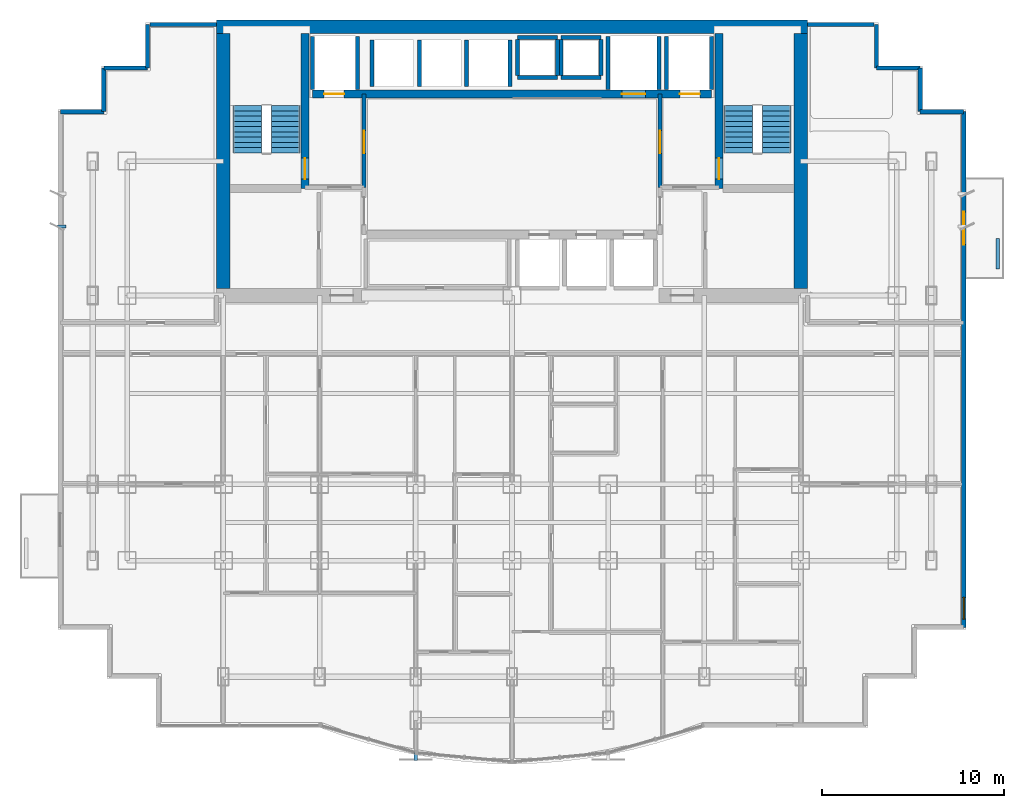
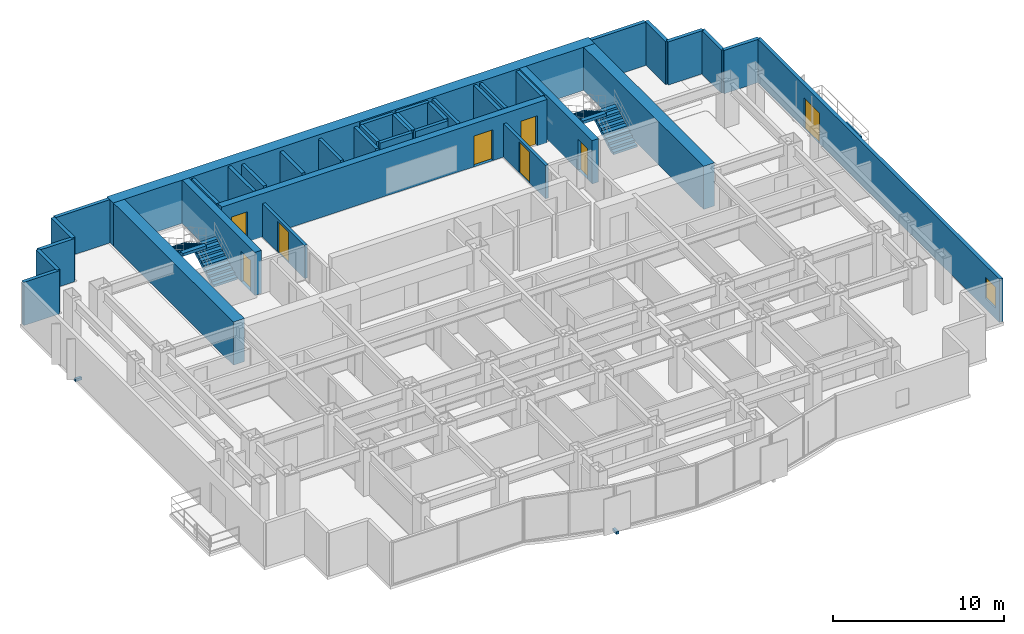
# One storey, part 7 of 10: 38 walls, 8 doors, 4 stair flights, 2 discrete accessories, 1 window, 9 openings, 2 elements without a shape of their own.
"""IFC4 building model written with IfcOpenShell, lengths in metres."""

from ifc_helpers import new_model, si_unit, direction, frame, frame_2d, origin, origin_2d, place, context, subcontext, project, spatial, polyline, rectangle, outline, extrude, source, transform, mapped, material, layer, layer_set, type_object, element, fill, aggregate, save


model = new_model("IFC4")

# Units and contexts
model_context = context("Model", 3, precision=1e-05, world=origin(), true_north=direction((0.0, 1.0)))
body_context = subcontext(model_context, "Body", "Model", "MODEL_VIEW")
ifc_project = project(units=[si_unit("LENGTHUNIT", "METRE"), si_unit("AREAUNIT", "SQUARE_METRE"), si_unit("VOLUMEUNIT", "CUBIC_METRE"), si_unit("PLANEANGLEUNIT", "RADIAN"), si_unit("MASSUNIT", "GRAM", prefix="KILO")], contexts=[model_context])

# Site, building, storey
site_placement = place(None, origin())
site = spatial("IfcSite", under=ifc_project, at=site_placement, CompositionType="ELEMENT")
building_placement = place(site_placement, origin())
building = spatial("IfcBuilding", under=site, at=building_placement, Name="Qianlan Lanfeng Residences", CompositionType="ELEMENT")
storey_placement = place(building_placement, frame((0.0, 0.0, 98.199951171875)))
storey = spatial("IfcBuildingStorey", under=building, at=storey_placement, Name="L26", CompositionType="ELEMENT", Elevation=98.199951171875)

# Wall, opening, door
ifc_material_1 = material(Name="Concrete C60", Category="concrete")
ifc_layer_1 = layer(ifc_material_1, 0.449951171875)
ifc_layer_set_1 = layer_set([ifc_layer_1], Name="Concrete C60")
wall_type_1 = type_object("IfcWallType", Name="CW-RC-450", PredefinedType="SHEAR", material=ifc_layer_set_1)
wall_1_placement = place(storey_placement, frame((15.10009765625, 31.10009765625, 0.0), z_axis=(0.0, 0.0, 1.0), x_axis=(0.0, 1.0, 0.0)))
wall_1 = element("IfcWall", 1, at=wall_1_placement, inside=storey, type_object=wall_type_1, Name="L26 Core Shear Wall ST1E", PredefinedType="SHEAR", context=body_context, shape_type="SweptSolid", body=[
    extrude(rectangle(XDim=8.52490234375, YDim=0.449951171875, at=frame_2d((4.262451171875, 0.0))), origin(), (0.0, 0.0, 1.0), 3.090087890625),
])
opening_1_placement = place(wall_1_placement, frame((0.510009765625, 0.0, 0.0)))
opening_1 = element("IfcOpeningElement", 2, at=opening_1_placement, cuts=wall_1, Name="Opening L26-D07", PredefinedType="OPENING", context=body_context, shape_type="SweptSolid", body=[
    extrude(rectangle(XDim=1.14990234375, YDim=2.199951171875, at=frame_2d((0.574951171875, 1.10009765625))), frame((0.0, 0.23486328125, 0.0), z_axis=(0.0, -1.0, 0.0), x_axis=(1.0, 0.0, 0.0)), (0.0, 0.0, 1.0), 0.469970703125),
])
ifc_material_2 = material(Name="Painted Galvanised Steel Fire Door", Category="steel")
door_type_1 = type_object("IfcDoorType", Name="DT-ST1", OperationType="NOTDEFINED", PredefinedType="DOOR", material=ifc_material_2)
door_1_placement = place(opening_1_placement, frame((1.14990234375, 0.0, 0.0), z_axis=(0.0, 0.0, 1.0), x_axis=(-1.0, 0.0, 0.0)))
door_1 = element("IfcDoor", 3, at=door_1_placement, inside=storey, type_object=door_type_1, Name="L26 Exit Stair ST-1 Door L26-D07 (DT-ST1)", OperationType="SINGLE_SWING_RIGHT", OverallHeight=2.199951171875, OverallWidth=1.14990234375, PredefinedType="DOOR", context=body_context, shape_type="SweptSolid", body=[
    extrude(rectangle(XDim=1.14990234375, YDim=2.199951171875, at=frame_2d((0.574951171875, 1.10009765625))), frame((0.0, 0.02490234375, 0.0), z_axis=(0.0, -1.0, 0.0), x_axis=(1.0, 0.0, 0.0)), (0.0, 0.0, 1.0), 0.050048828125),
])
fill(opening_1, door_1)

wall_2_placement = place(storey_placement, frame((37.89990234375, 31.10009765625, 0.0), z_axis=(0.0, 0.0, 1.0), x_axis=(0.0, 1.0, 0.0)))
wall_2 = element("IfcWall", 4, at=wall_2_placement, inside=storey, type_object=wall_type_1, Name="L26 Core Shear Wall ST2W", PredefinedType="SHEAR", context=body_context, shape_type="SweptSolid", body=[
    extrude(rectangle(XDim=8.52490234375, YDim=0.449951171875, at=frame_2d((4.262451171875, 0.0))), origin(), (0.0, 0.0, 1.0), 3.090087890625),
])
opening_2_placement = place(wall_2_placement, frame((0.510009765625, 0.0, 0.0)))
opening_2 = element("IfcOpeningElement", 5, at=opening_2_placement, cuts=wall_2, Name="Opening L26-D08", PredefinedType="OPENING", context=body_context, shape_type="SweptSolid", body=[
    extrude(rectangle(XDim=1.14990234375, YDim=2.199951171875, at=frame_2d((0.574951171875, 1.10009765625))), frame((0.0, 0.23486328125, 0.0), z_axis=(0.0, -1.0, 0.0), x_axis=(1.0, 0.0, 0.0)), (0.0, 0.0, 1.0), 0.469970703125),
])
door_2_placement = place(opening_2_placement, origin())
door_2 = element("IfcDoor", 6, at=door_2_placement, inside=storey, type_object=door_type_1, Name="L26 Exit Stair ST-2 Door L26-D08 (DT-ST1)", OperationType="SINGLE_SWING_RIGHT", OverallHeight=2.199951171875, OverallWidth=1.14990234375, PredefinedType="DOOR", context=body_context, shape_type="SweptSolid", body=[
    extrude(rectangle(XDim=1.14990234375, YDim=2.199951171875, at=frame_2d((0.574951171875, 1.10009765625))), frame((0.0, 0.02490234375, 0.0), z_axis=(0.0, -1.0, 0.0), x_axis=(1.0, 0.0, 0.0)), (0.0, 0.0, 1.0), 0.050048828125),
])
fill(opening_2, door_2)

# Wall, openings, doors
wall_3_placement = place(storey_placement, frame((15.5, 36.300048828125, 0.0), z_axis=(0.0, 0.0, 1.0), x_axis=(1.0, 0.0, 0.0)))
wall_3 = element("IfcWall", 7, at=wall_3_placement, inside=storey, type_object=wall_type_1, Name="L26 Core Shear Wall LBN", PredefinedType="SHEAR", context=body_context, shape_type="SweptSolid", body=[
    extrude(rectangle(XDim=22.0, YDim=0.449951171875, at=frame_2d((11.0, 0.0))), origin(), (0.0, 0.0, 1.0), 3.090087890625),
])
opening_3_placement = place(wall_3_placement, frame((0.64990234375, 0.0, 0.0)))
opening_3 = element("IfcOpeningElement", 8, at=opening_3_placement, cuts=wall_3, Name="Opening L26-LD-FFL-1", PredefinedType="OPENING", context=body_context, shape_type="SweptSolid", body=[
    extrude(rectangle(XDim=1.10009765625, YDim=2.14990234375, at=frame_2d((0.550048828125, 1.074951171875))), frame((0.0, 0.23486328125, 0.0), z_axis=(0.0, -1.0, 0.0), x_axis=(1.0, 0.0, 0.0)), (0.0, 0.0, 1.0), 0.469970703125),
])
opening_4_placement = place(wall_3_placement, frame((20.25, 0.0, 0.0)))
opening_4 = element("IfcOpeningElement", 9, at=opening_4_placement, cuts=wall_3, Name="Opening L26-LD-FFL-2", PredefinedType="OPENING", context=body_context, shape_type="SweptSolid", body=[
    extrude(rectangle(XDim=1.10009765625, YDim=2.14990234375, at=frame_2d((0.550048828125, 1.074951171875))), frame((0.0, 0.23486328125, 0.0), z_axis=(0.0, -1.0, 0.0), x_axis=(1.0, 0.0, 0.0)), (0.0, 0.0, 1.0), 0.469970703125),
])
opening_5_placement = place(wall_3_placement, frame((17.050048828125, 0.0, 0.0)))
opening_5 = element("IfcOpeningElement", 10, at=opening_5_placement, cuts=wall_3, Name="Opening L26-LD-SVL-1", PredefinedType="OPENING", context=body_context, shape_type="SweptSolid", body=[
    extrude(rectangle(XDim=1.300048828125, YDim=2.199951171875, at=frame_2d((0.64990234375, 1.10009765625))), frame((0.0, 0.23486328125, 0.0), z_axis=(0.0, -1.0, 0.0), x_axis=(1.0, 0.0, 0.0)), (0.0, 0.0, 1.0), 0.469970703125),
])
ifc_material_3 = material(Name="Brushed Stainless Steel Sliding Lift Door", Category="steel")
door_type_2 = type_object("IfcDoorType", Name="LD-01", OperationType="NOTDEFINED", PredefinedType="DOOR", material=ifc_material_3)
door_3_placement = place(opening_3_placement, frame((1.10009765625, 0.0, 0.0), z_axis=(0.0, 0.0, 1.0), x_axis=(-1.0, 0.0, 0.0)))
door_3 = element("IfcDoor", 11, at=door_3_placement, inside=storey, type_object=door_type_2, Name="L26 Elevator FFL-1 Sliding Landing Door", OperationType="DOUBLE_DOOR_SLIDING", OverallHeight=2.14990234375, OverallWidth=1.10009765625, PredefinedType="DOOR", context=body_context, shape_type="SweptSolid", body=[
    extrude(rectangle(XDim=1.10009765625, YDim=2.14990234375, at=frame_2d((0.550048828125, 1.074951171875))), frame((0.0, 0.02490234375, 0.0), z_axis=(0.0, -1.0, 0.0), x_axis=(1.0, 0.0, 0.0)), (0.0, 0.0, 1.0), 0.050048828125),
])
fill(opening_3, door_3)
door_4_placement = place(opening_4_placement, frame((1.10009765625, 0.0, 0.0), z_axis=(0.0, 0.0, 1.0), x_axis=(-1.0, 0.0, 0.0)))
door_4 = element("IfcDoor", 12, at=door_4_placement, inside=storey, type_object=door_type_2, Name="L26 Elevator FFL-2 Sliding Landing Door", OperationType="DOUBLE_DOOR_SLIDING", OverallHeight=2.14990234375, OverallWidth=1.10009765625, PredefinedType="DOOR", context=body_context, shape_type="SweptSolid", body=[
    extrude(rectangle(XDim=1.10009765625, YDim=2.14990234375, at=frame_2d((0.550048828125, 1.074951171875))), frame((0.0, 0.02490234375, 0.0), z_axis=(0.0, -1.0, 0.0), x_axis=(1.0, 0.0, 0.0)), (0.0, 0.0, 1.0), 0.050048828125),
])
fill(opening_4, door_4)
door_type_3 = type_object("IfcDoorType", Name="LD-02", OperationType="NOTDEFINED", PredefinedType="DOOR", material=ifc_material_3)
door_5_placement = place(opening_5_placement, frame((1.300048828125, 0.0, 0.0), z_axis=(0.0, 0.0, 1.0), x_axis=(-1.0, 0.0, 0.0)))
door_5 = element("IfcDoor", 13, at=door_5_placement, inside=storey, type_object=door_type_3, Name="L26 Elevator SVL-1 Sliding Landing Door", OperationType="DOUBLE_DOOR_SLIDING", OverallHeight=2.199951171875, OverallWidth=1.300048828125, PredefinedType="DOOR", context=body_context, shape_type="SweptSolid", body=[
    extrude(rectangle(XDim=1.300048828125, YDim=2.199951171875, at=frame_2d((0.64990234375, 1.10009765625))), frame((0.0, 0.02490234375, 0.0), z_axis=(0.0, -1.0, 0.0), x_axis=(1.0, 0.0, 0.0)), (0.0, 0.0, 1.0), 0.050048828125),
])
fill(opening_5, door_5)

# Walls
ifc_layer_2 = layer(ifc_material_1, 0.75)
ifc_layer_set_2 = layer_set([ifc_layer_2], Name="Concrete C60")
wall_type_2 = type_object("IfcWallType", Name="CW-RC-750", PredefinedType="SHEAR", material=ifc_layer_set_2)
wall_4_placement = place(storey_placement, frame((10.22509765625, 40.0, 0.0), z_axis=(0.0, 0.0, 1.0), x_axis=(1.0, 0.0, 0.0)))
element("IfcWall", 14, at=wall_4_placement, inside=storey, type_object=wall_type_2, Name="L26 Core Shear Wall N", PredefinedType="SHEAR", context=body_context, shape_type="SweptSolid", body=[
    extrude(rectangle(XDim=32.5498046875, YDim=0.75, at=frame_2d((16.27490234375, 0.0))), origin(), (0.0, 0.0, 1.0), 3.090087890625),
])
for number, where, z_axis, x_axis, name in (
    (15, (10.60009765625, 25.574951171875, 0.0), (0.0, 0.0, 1.0), (0.0, 1.0, 0.0), "L26 Core Shear Wall W"),
    (16, (42.39990234375, 25.574951171875, 0.0), (0.0, 0.0, 1.0), (0.0, 1.0, 0.0), "L26 Core Shear Wall E"),
):
    element("IfcWall", number, at=place(storey_placement, frame(where, z_axis=z_axis, x_axis=x_axis)), inside=storey, type_object=wall_type_2, Name=name, PredefinedType="SHEAR", context=body_context, shape_type="SweptSolid", body=[
        extrude(rectangle(XDim=14.050048828125, YDim=0.75, at=frame_2d((7.02490234375, 0.0))), origin(), (0.0, 0.0, 1.0), 3.090087890625),
    ])

# Wall, openings, door, window
ifc_material_4 = material(Name="Concrete C42", Category="concrete")
ifc_layer_3 = layer(ifc_material_4, 0.239990234375)
ifc_layer_set_3 = layer_set([ifc_layer_3], Name="Concrete C42")
wall_type_3 = type_object("IfcWallType", Name="EW-240", PredefinedType="SOLIDWALL", material=ifc_layer_set_3)
wall_5_placement = place(storey_placement, frame((51.3798828125, 6.919921875, 0.0), z_axis=(0.0, 0.0, 1.0), x_axis=(0.0, 1.0, 0.0)))
wall_5 = element("IfcWall", 17, at=wall_5_placement, inside=storey, type_object=wall_type_3, Name="L26 Terrace/Balcony Access Exterior Wall 10", PredefinedType="SOLIDWALL", context=body_context, shape_type="SweptSolid", body=[
    extrude(rectangle(XDim=28.41015625, YDim=0.239990234375, at=frame_2d((14.205078125, 0.0))), origin(), (0.0, 0.0, 1.0), 3.090087890625),
])
opening_6_placement = place(wall_5_placement, frame((21.080078125, 0.0, 0.0)))
opening_6 = element("IfcOpeningElement", 18, at=opening_6_placement, cuts=wall_5, Name="Opening L26-D-EB-N", PredefinedType="OPENING", context=body_context, shape_type="SweptSolid", body=[
    extrude(rectangle(XDim=1.800048828125, YDim=2.199951171875, at=frame_2d((0.89990234375, 1.10009765625))), frame((0.0, 0.1298828125, 0.0), z_axis=(0.0, -1.0, 0.0), x_axis=(1.0, 0.0, 0.0)), (0.0, 0.0, 1.0), 0.260009765625),
])
opening_7_placement = place(wall_5_placement, frame((0.449951171875, 0.0, 0.75)))
opening_7 = element("IfcOpeningElement", 19, at=opening_7_placement, cuts=wall_5, Name="Opening W-03", PredefinedType="OPENING", context=body_context, shape_type="SweptSolid", body=[
    extrude(rectangle(XDim=1.199951171875, YDim=1.5, at=frame_2d((0.60009765625, 0.75))), frame((0.0, 0.1298828125, 0.0), z_axis=(0.0, -1.0, 0.0), x_axis=(1.0, 0.0, 0.0)), (0.0, 0.0, 1.0), 0.260009765625),
])
ifc_material_5 = material(Name="Anodised Bronze Aluminium Framed Glass", Category="aluminium")
door_type_4 = type_object("IfcDoorType", Name="DT-BAL1", OperationType="NOTDEFINED", PredefinedType="DOOR", material=ifc_material_5)
door_6_placement = place(opening_6_placement, frame((1.800048828125, 0.0, 0.0), z_axis=(0.0, 0.0, 1.0), x_axis=(-1.0, 0.0, 0.0)))
door_6 = element("IfcDoor", 20, at=door_6_placement, inside=storey, type_object=door_type_4, Name="L26 Exterior Access Door EB-N", OperationType="DOUBLE_DOOR_SLIDING", OverallHeight=2.199951171875, OverallWidth=1.800048828125, PredefinedType="DOOR", context=body_context, shape_type="SweptSolid", body=[
    extrude(rectangle(XDim=1.800048828125, YDim=2.199951171875, at=frame_2d((0.89990234375, 1.10009765625))), frame((0.0, 0.02490234375, 0.0), z_axis=(0.0, -1.0, 0.0), x_axis=(1.0, 0.0, 0.0)), (0.0, 0.0, 1.0), 0.050048828125),
])
fill(opening_6, door_6)
ifc_material_6 = material(Name="Anodised Bronze Aluminium Framed Double Glazing", Category="aluminium")
window_type = type_object("IfcWindowType", Name="W-03", PartitioningType="SINGLE_PANEL", PredefinedType="WINDOW", material=ifc_material_6)
window_placement = place(opening_7_placement, origin())
window = element("IfcWindow", 21, at=window_placement, inside=storey, type_object=window_type, Name="L26 Exterior Window W-03", OverallHeight=1.5, OverallWidth=1.199951171875, PartitioningType="SINGLE_PANEL", PredefinedType="WINDOW", context=body_context, shape_type="SweptSolid", body=[
    extrude(rectangle(XDim=1.199951171875, YDim=1.5, at=frame_2d((0.60009765625, 0.75))), frame((0.0, 0.030029296875, 0.0), z_axis=(0.0, -1.0, 0.0), x_axis=(1.0, 0.0, 0.0)), (0.0, 0.0, 1.0), 0.06005859375),
])
fill(opening_7, window)

# Walls
for number, where, z_axis, x_axis, name in (
    (22, (51.3798828125, 35.330078125, 0.0), (0.0, 0.0, 1.0), (-1.0, 0.0, 0.0), "L26 Exterior Facade Spandrel Wall 11"),
    (23, (48.97998046875, 35.330078125, 0.0), (0.0, 0.0, 1.0), (0.0, 1.0, 0.0), "L26 Exterior Facade Spandrel Wall 12"),
    (24, (48.97998046875, 37.72998046875, 0.0), (0.0, 0.0, 1.0), (-1.0, 0.0, 0.0), "L26 Exterior Facade Spandrel Wall 13"),
    (25, (46.580078125, 37.72998046875, 0.0), (0.0, 0.0, 1.0), (0.0, 1.0, 0.0), "L26 Exterior Facade Spandrel Wall 14"),
):
    element("IfcWall", number, at=place(storey_placement, frame(where, z_axis=z_axis, x_axis=x_axis)), inside=storey, type_object=wall_type_3, Name=name, PredefinedType="SOLIDWALL", context=body_context, shape_type="SweptSolid", body=[
        extrude(rectangle(XDim=2.39990234375, YDim=0.239990234375, at=frame_2d((1.199951171875, 0.0))), origin(), (0.0, 0.0, 1.0), 3.090087890625),
    ])
for number, where, z_axis, x_axis, name in (
    (26, (46.449951171875, 40.1298828125, 0.0), (0.0, 0.0, 1.0), (-1.0, 0.0, 0.0), "L26 North Wing Exterior Wall E"),
    (27, (10.22509765625, 40.1298828125, 0.0), (0.0, 0.0, 1.0), (-1.0, 0.0, 0.0), "L26 North Wing Exterior Wall W"),
):
    element("IfcWall", number, at=place(storey_placement, frame(where, z_axis=z_axis, x_axis=x_axis)), inside=storey, type_object=wall_type_3, Name=name, PredefinedType="SOLIDWALL", context=body_context, shape_type="SweptSolid", body=[
        extrude(rectangle(XDim=3.675048828125, YDim=0.239990234375, at=frame_2d((1.83740234375, 0.0))), origin(), (0.0, 0.0, 1.0), 3.090087890625),
    ])
for number, where, z_axis, x_axis, name in (
    (28, (6.419921875, 40.1298828125, 0.0), (0.0, 0.0, 1.0), (0.0, -1.0, 0.0), "L26 Exterior Facade Spandrel Wall 17"),
    (29, (6.419921875, 37.72998046875, 0.0), (0.0, 0.0, 1.0), (-1.0, 0.0, 0.0), "L26 Exterior Facade Spandrel Wall 18"),
    (30, (4.02001953125, 37.72998046875, 0.0), (0.0, 0.0, 1.0), (0.0, -1.0, 0.0), "L26 Exterior Facade Spandrel Wall 19"),
    (31, (4.02001953125, 35.330078125, 0.0), (0.0, 0.0, 1.0), (-1.0, 0.0, 0.0), "L26 Exterior Facade Spandrel Wall 20"),
):
    element("IfcWall", number, at=place(storey_placement, frame(where, z_axis=z_axis, x_axis=x_axis)), inside=storey, type_object=wall_type_3, Name=name, PredefinedType="SOLIDWALL", context=body_context, shape_type="SweptSolid", body=[
        extrude(rectangle(XDim=2.39990234375, YDim=0.239990234375, at=frame_2d((1.199951171875, 0.0))), origin(), (0.0, 0.0, 1.0), 3.090087890625),
    ])
ifc_layer_4 = layer(ifc_material_4, 0.199951171875)
ifc_layer_set_4 = layer_set([ifc_layer_4], Name="Concrete C42")
wall_type_4 = type_object("IfcWallType", Name="PL-TREE-200", PredefinedType="PARAPET", material=ifc_layer_set_4)
wall_6_placement = place(storey_placement, frame((53.25, 26.64990234375, 0.0), z_axis=(0.0, 0.0, 1.0), x_axis=(0.0, 1.0, 0.0)))
element("IfcWall", 32, at=wall_6_placement, inside=storey, type_object=wall_type_4, Name="L26 East Tree Planter Curb EB-N", PredefinedType="PARAPET", context=body_context, shape_type="SweptSolid", body=[
    extrude(rectangle(XDim=1.7001953125, YDim=0.199951171875, at=frame_2d((0.85009765625, 0.0))), origin(), (0.0, 0.0, 1.0), 0.650146484375),
])

# Wall, opening, door
ifc_material_7 = material(Name="Autoclaved Aerated Concrete Blockwork 200 mm", Category="masonry")
ifc_layer_5 = layer(ifc_material_7, 0.199951171875)
ifc_layer_set_5 = layer_set([ifc_layer_5], Name="Autoclaved Aerated Concrete Blockwork 200 mm")
wall_type_5 = type_object("IfcWallType", Name="PW-200", PredefinedType="PARTITIONING", material=ifc_layer_set_5)
wall_7_placement = place(storey_placement, frame((18.35009765625, 31.14990234375, 0.0), z_axis=(0.0, 0.0, 1.0), x_axis=(0.0, 1.0, 0.0)))
wall_7 = element("IfcWall", 33, at=wall_7_placement, inside=storey, type_object=wall_type_5, Name="L26 Firefighting Lobby 1 East Wall", PredefinedType="PARTITIONING", context=body_context, shape_type="SweptSolid", body=[
    extrude(rectangle(XDim=5.150146484375, YDim=0.199951171875, at=frame_2d((2.5751953125, 0.0))), origin(), (0.0, 0.0, 1.0), 2.380126953125),
])
opening_8_placement = place(wall_7_placement, frame((1.875, 0.0, 0.0)))
opening_8 = element("IfcOpeningElement", 34, at=opening_8_placement, cuts=wall_7, Name="Opening L26-D04", PredefinedType="OPENING", context=body_context, shape_type="SweptSolid", body=[
    extrude(rectangle(XDim=1.25, YDim=2.199951171875, at=frame_2d((0.625, 1.10009765625))), frame((0.0, 0.10986328125, 0.0), z_axis=(0.0, -1.0, 0.0), x_axis=(1.0, 0.0, 0.0)), (0.0, 0.0, 1.0), 0.219970703125),
])
door_type_5 = type_object("IfcDoorType", Name="DT-FFL", OperationType="NOTDEFINED", PredefinedType="DOOR", material=ifc_material_2)
door_7_placement = place(opening_8_placement, origin())
door_7 = element("IfcDoor", 35, at=door_7_placement, inside=storey, type_object=door_type_5, Name="L26 Firefighting Lobby 1 Lift Lobby Door L26-D04 (DT-FFL)", OperationType="SINGLE_SWING_LEFT", OverallHeight=2.199951171875, OverallWidth=1.25, PredefinedType="DOOR", context=body_context, shape_type="SweptSolid", body=[
    extrude(rectangle(XDim=1.25, YDim=2.199951171875, at=frame_2d((0.625, 1.10009765625))), frame((0.0, 0.02490234375, 0.0), z_axis=(0.0, -1.0, 0.0), x_axis=(1.0, 0.0, 0.0)), (0.0, 0.0, 1.0), 0.050048828125),
])
fill(opening_8, door_7)

wall_8_placement = place(storey_placement, frame((34.64990234375, 31.14990234375, 0.0), z_axis=(0.0, 0.0, 1.0), x_axis=(0.0, 1.0, 0.0)))
wall_8 = element("IfcWall", 36, at=wall_8_placement, inside=storey, type_object=wall_type_5, Name="L26 Firefighting Lobby 2 West Wall", PredefinedType="PARTITIONING", context=body_context, shape_type="SweptSolid", body=[
    extrude(rectangle(XDim=5.150146484375, YDim=0.199951171875, at=frame_2d((2.5751953125, 0.0))), origin(), (0.0, 0.0, 1.0), 2.380126953125),
])
opening_9_placement = place(wall_8_placement, frame((1.875, 0.0, 0.0)))
opening_9 = element("IfcOpeningElement", 37, at=opening_9_placement, cuts=wall_8, Name="Opening L26-D06", PredefinedType="OPENING", context=body_context, shape_type="SweptSolid", body=[
    extrude(rectangle(XDim=1.25, YDim=2.199951171875, at=frame_2d((0.625, 1.10009765625))), frame((0.0, 0.10986328125, 0.0), z_axis=(0.0, -1.0, 0.0), x_axis=(1.0, 0.0, 0.0)), (0.0, 0.0, 1.0), 0.219970703125),
])
door_8_placement = place(opening_9_placement, origin())
door_8 = element("IfcDoor", 38, at=door_8_placement, inside=storey, type_object=door_type_5, Name="L26 Firefighting Lobby 2 Lift Lobby Door L26-D06 (DT-FFL)", OperationType="SINGLE_SWING_LEFT", OverallHeight=2.199951171875, OverallWidth=1.25, PredefinedType="DOOR", context=body_context, shape_type="SweptSolid", body=[
    extrude(rectangle(XDim=1.25, YDim=2.199951171875, at=frame_2d((0.625, 1.10009765625))), frame((0.0, 0.02490234375, 0.0), z_axis=(0.0, -1.0, 0.0), x_axis=(1.0, 0.0, 0.0)), (0.0, 0.0, 1.0), 0.050048828125),
])
fill(opening_9, door_8)

# Walls
ifc_material_8 = material(Name="Concrete C49", Category="concrete")
ifc_layer_6 = layer(ifc_material_8, 0.219970703125)
ifc_layer_set_6 = layer_set([ifc_layer_6], Name="Concrete C49")
wall_type_6 = type_object("IfcWallType", Name="SHW-220", PredefinedType="SOLIDWALL", material=ifc_layer_set_6)
for number, where, z_axis, x_axis, name in (
    (39, (15.52001953125, 36.550048828125, 0.0), (0.0, 0.0, 1.0), (0.0, 1.0, 0.0), "L26 Lift FFL-1 Shaft Wall W"),
    (40, (18.0, 36.550048828125, 0.0), (0.0, 0.0, 1.0), (0.0, 1.0, 0.0), "L26 Lift FFL-1 Shaft Wall E"),
    (41, (35.0, 36.550048828125, 0.0), (0.0, 0.0, 1.0), (0.0, 1.0, 0.0), "L26 Lift FFL-2 Shaft Wall W"),
    (42, (37.47998046875, 36.550048828125, 0.0), (0.0, 0.0, 1.0), (0.0, 1.0, 0.0), "L26 Lift FFL-2 Shaft Wall E"),
    (43, (31.800048828125, 36.550048828125, 0.0), (0.0, 0.0, 1.0), (0.0, 1.0, 0.0), "L26 Lift SVL-1 Shaft Wall W"),
    (44, (34.60009765625, 36.550048828125, 0.0), (0.0, 0.0, 1.0), (0.0, 1.0, 0.0), "L26 Lift SVL-1 Shaft Wall E"),
):
    element("IfcWall", number, at=place(storey_placement, frame(where, z_axis=z_axis, x_axis=x_axis)), inside=storey, type_object=wall_type_6, Name=name, PredefinedType="SOLIDWALL", context=body_context, shape_type="SweptSolid", body=[
        extrude(rectangle(XDim=2.929931640625, YDim=0.219970703125, at=frame_2d((1.46484375, 0.0))), origin(), (0.0, 0.0, 1.0), 3.090087890625),
    ])
for number, where, z_axis, x_axis, name in (
    (45, (18.800048828125, 36.719970703125, 0.0), (0.0, 0.0, 1.0), (0.0, 1.0, 0.0), "L26 Lift PL-H1 Shaft Wall W"),
    (46, (21.39990234375, 36.719970703125, 0.0), (0.0, 0.0, 1.0), (0.0, 1.0, 0.0), "L26 Lift PL-H2 Shaft Wall W"),
    (47, (24.0, 36.719970703125, 0.0), (0.0, 0.0, 1.0), (0.0, 1.0, 0.0), "L26 Lift PL-H3 Shaft Wall W"),
    (48, (26.39990234375, 36.719970703125, 0.0), (0.0, 0.0, 1.0), (0.0, 1.0, 0.0), "L26 Lift PL-H3 Shaft Wall E"),
):
    element("IfcWall", number, at=place(storey_placement, frame(where, z_axis=z_axis, x_axis=x_axis)), inside=storey, type_object=wall_type_6, Name=name, PredefinedType="SOLIDWALL", context=body_context, shape_type="SweptSolid", body=[
        extrude(rectangle(XDim=2.56005859375, YDim=0.219970703125, at=frame_2d((1.280029296875, 0.0))), origin(), (0.0, 0.0, 1.0), 3.090087890625),
    ])
for number, where, z_axis, x_axis, name in (
    (49, (26.800048828125, 37.31005859375, 0.0), (0.0, 0.0, 1.0), (0.0, 1.0, 0.0), "L26 MEP Riser MEP-R1 Shaft Wall W"),
    (50, (29.0, 37.31005859375, 0.0), (0.0, 0.0, 1.0), (0.0, 1.0, 0.0), "L26 MEP Riser MEP-R1 Shaft Wall E"),
):
    element("IfcWall", number, at=place(storey_placement, frame(where, z_axis=z_axis, x_axis=x_axis)), inside=storey, type_object=wall_type_6, Name=name, PredefinedType="SOLIDWALL", context=body_context, shape_type="SweptSolid", body=[
        extrude(rectangle(XDim=1.97998046875, YDim=0.219970703125, at=frame_2d((0.989990234375, 0.0))), origin(), (0.0, 0.0, 1.0), 3.090087890625),
    ])
for number, where, z_axis, x_axis, name in (
    (51, (26.800048828125, 39.39990234375, 0.0), (0.0, 0.0, 1.0), (1.0, 0.0, 0.0), "L26 MEP Riser MEP-R1 Shaft Wall N"),
    (52, (26.800048828125, 37.199951171875, 0.0), (0.0, 0.0, 1.0), (1.0, 0.0, 0.0), "L26 MEP Riser MEP-R1 Shaft Wall S"),
):
    element("IfcWall", number, at=place(storey_placement, frame(where, z_axis=z_axis, x_axis=x_axis)), inside=storey, type_object=wall_type_6, Name=name, PredefinedType="SOLIDWALL", context=body_context, shape_type="SweptSolid", body=[
        extrude(rectangle(XDim=2.199951171875, YDim=0.219970703125, at=frame_2d((1.10009765625, 0.0))), origin(), (0.0, 0.0, 1.0), 3.090087890625),
    ])
for number, where, z_axis, x_axis, name in (
    (53, (29.199951171875, 37.31005859375, 0.0), (0.0, 0.0, 1.0), (0.0, 1.0, 0.0), "L26 MEP Riser MEP-R2 Shaft Wall W"),
    (54, (31.39990234375, 37.31005859375, 0.0), (0.0, 0.0, 1.0), (0.0, 1.0, 0.0), "L26 MEP Riser MEP-R2 Shaft Wall E"),
):
    element("IfcWall", number, at=place(storey_placement, frame(where, z_axis=z_axis, x_axis=x_axis)), inside=storey, type_object=wall_type_6, Name=name, PredefinedType="SOLIDWALL", context=body_context, shape_type="SweptSolid", body=[
        extrude(rectangle(XDim=1.97998046875, YDim=0.219970703125, at=frame_2d((0.989990234375, 0.0))), origin(), (0.0, 0.0, 1.0), 3.090087890625),
    ])
for number, where, z_axis, x_axis, name in (
    (55, (29.199951171875, 39.39990234375, 0.0), (0.0, 0.0, 1.0), (1.0, 0.0, 0.0), "L26 MEP Riser MEP-R2 Shaft Wall N"),
    (56, (29.199951171875, 37.199951171875, 0.0), (0.0, 0.0, 1.0), (1.0, 0.0, 0.0), "L26 MEP Riser MEP-R2 Shaft Wall S"),
):
    element("IfcWall", number, at=place(storey_placement, frame(where, z_axis=z_axis, x_axis=x_axis)), inside=storey, type_object=wall_type_6, Name=name, PredefinedType="SOLIDWALL", context=body_context, shape_type="SweptSolid", body=[
        extrude(rectangle(XDim=2.199951171875, YDim=0.219970703125, at=frame_2d((1.10009765625, 0.0))), origin(), (0.0, 0.0, 1.0), 3.090087890625),
    ])

# Stair, stair flights
stair_type = type_object("IfcStairType", Name="STR-MAIN", PredefinedType="HALF_TURN_STAIR", material=ifc_material_4)
stair_1_placement = place(storey_placement, origin())
stair_1 = element("IfcStair", 57, at=stair_1_placement, inside=storey, type_object=stair_type, Name="L26 Exit Stair ST-1", PredefinedType="HALF_TURN_STAIR")
stair_flight_type = type_object("IfcStairFlightType", Name="FLT-1720", PredefinedType="STRAIGHT", material=ifc_material_4)
stair_flight_1_placement = place(storey_placement, frame((14.02001953125, 33.050048828125, 0.0), z_axis=(0.0, 0.0, 1.0), x_axis=(0.0, 1.0, 0.0)))
stair_flight_1 = element("IfcStairFlight", 58, at=stair_flight_1_placement, type_object=stair_flight_type, Name="ST-1 flight 1", NumberOfRisers=10, NumberOfTreads=9, PredefinedType="STRAIGHT", RiserHeight=0.165, TreadLength=0.29, context=body_context, shape_type="SweptSolid", body=[
    extrude(outline(polyline([(0.0, 0.0), (0.0, 0.1650390625), (0.2900390625, 0.1650390625), (0.2900390625, 0.330078125), (0.580078125, 0.330078125), (0.580078125, 0.4951171875), (0.8701171875, 0.4951171875), (0.8701171875, 0.659912109375), (1.159912109375, 0.659912109375), (1.159912109375, 0.824951171875), (1.449951171875, 0.824951171875), (1.449951171875, 0.989990234375), (1.739990234375, 0.989990234375), (1.739990234375, 1.155029296875), (2.030029296875, 1.155029296875), (2.030029296875, 1.320068359375), (2.320068359375, 1.320068359375), (2.320068359375, 1.485107421875), (2.610107421875, 1.485107421875), (2.610107421875, 1.64990234375), (2.610107421875, 1.278076171875), (0.36376953125, 0.0), (0.0, 0.0)])), frame((0.0, 0.800048828125, 0.0), z_axis=(0.0, -1.0, 0.0), x_axis=(1.0, 0.0, 0.0)), (0.0, 0.0, 1.0), 1.60009765625),
])
stair_flight_2_placement = place(storey_placement, frame((11.93994140625, 35.659912109375, 1.650146484375), z_axis=(0.0, 0.0, 1.0), x_axis=(0.0, -1.0, 0.0)))
stair_flight_2 = element("IfcStairFlight", 59, at=stair_flight_2_placement, type_object=stair_flight_type, Name="ST-1 flight 2", NumberOfRisers=10, NumberOfTreads=9, PredefinedType="STRAIGHT", RiserHeight=0.165, TreadLength=0.29, context=body_context, shape_type="SweptSolid", body=[
    extrude(outline(polyline([(0.0, 0.0), (0.0, 0.1650390625), (0.2900390625, 0.1650390625), (0.2900390625, 0.330078125), (0.580078125, 0.330078125), (0.580078125, 0.4951171875), (0.8701171875, 0.4951171875), (0.8701171875, 0.659912109375), (1.159912109375, 0.659912109375), (1.159912109375, 0.824951171875), (1.449951171875, 0.824951171875), (1.449951171875, 0.989990234375), (1.739990234375, 0.989990234375), (1.739990234375, 1.155029296875), (2.030029296875, 1.155029296875), (2.030029296875, 1.320068359375), (2.320068359375, 1.320068359375), (2.320068359375, 1.485107421875), (2.610107421875, 1.485107421875), (2.610107421875, 1.64990234375), (2.610107421875, 1.278076171875), (0.36376953125, 0.0), (0.0, 0.0)])), frame((0.0, 0.800048828125, 0.0), z_axis=(0.0, -1.0, 0.0), x_axis=(1.0, 0.0, 0.0)), (0.0, 0.0, 1.0), 1.60009765625),
])
aggregate(stair_1, [stair_flight_1, stair_flight_2])

stair_2_placement = place(storey_placement, origin())
stair_2 = element("IfcStair", 60, at=stair_2_placement, inside=storey, type_object=stair_type, Name="L26 Exit Stair ST-2", PredefinedType="HALF_TURN_STAIR")
stair_flight_3_placement = place(storey_placement, frame((41.06005859375, 33.050048828125, 0.0), z_axis=(0.0, 0.0, 1.0), x_axis=(0.0, 1.0, 0.0)))
stair_flight_3 = element("IfcStairFlight", 61, at=stair_flight_3_placement, type_object=stair_flight_type, Name="ST-2 flight 1", NumberOfRisers=10, NumberOfTreads=9, PredefinedType="STRAIGHT", RiserHeight=0.165, TreadLength=0.29, context=body_context, shape_type="SweptSolid", body=[
    extrude(outline(polyline([(0.0, 0.0), (0.0, 0.1650390625), (0.2900390625, 0.1650390625), (0.2900390625, 0.330078125), (0.580078125, 0.330078125), (0.580078125, 0.4951171875), (0.8701171875, 0.4951171875), (0.8701171875, 0.659912109375), (1.159912109375, 0.659912109375), (1.159912109375, 0.824951171875), (1.449951171875, 0.824951171875), (1.449951171875, 0.989990234375), (1.739990234375, 0.989990234375), (1.739990234375, 1.155029296875), (2.030029296875, 1.155029296875), (2.030029296875, 1.320068359375), (2.320068359375, 1.320068359375), (2.320068359375, 1.485107421875), (2.610107421875, 1.485107421875), (2.610107421875, 1.64990234375), (2.610107421875, 1.278076171875), (0.36376953125, 0.0), (0.0, 0.0)])), frame((0.0, 0.800048828125, 0.0), z_axis=(0.0, -1.0, 0.0), x_axis=(1.0, 0.0, 0.0)), (0.0, 0.0, 1.0), 1.60009765625),
])
stair_flight_4_placement = place(storey_placement, frame((38.97998046875, 35.659912109375, 1.650146484375), z_axis=(0.0, 0.0, 1.0), x_axis=(0.0, -1.0, 0.0)))
stair_flight_4 = element("IfcStairFlight", 62, at=stair_flight_4_placement, type_object=stair_flight_type, Name="ST-2 flight 2", NumberOfRisers=10, NumberOfTreads=9, PredefinedType="STRAIGHT", RiserHeight=0.165, TreadLength=0.29, context=body_context, shape_type="SweptSolid", body=[
    extrude(outline(polyline([(0.0, 0.0), (0.0, 0.1650390625), (0.2900390625, 0.1650390625), (0.2900390625, 0.330078125), (0.580078125, 0.330078125), (0.580078125, 0.4951171875), (0.8701171875, 0.4951171875), (0.8701171875, 0.659912109375), (1.159912109375, 0.659912109375), (1.159912109375, 0.824951171875), (1.449951171875, 0.824951171875), (1.449951171875, 0.989990234375), (1.739990234375, 0.989990234375), (1.739990234375, 1.155029296875), (2.030029296875, 1.155029296875), (2.030029296875, 1.320068359375), (2.320068359375, 1.320068359375), (2.320068359375, 1.485107421875), (2.610107421875, 1.485107421875), (2.610107421875, 1.64990234375), (2.610107421875, 1.278076171875), (0.36376953125, 0.0), (0.0, 0.0)])), frame((0.0, 0.800048828125, 0.0), z_axis=(0.0, -1.0, 0.0), x_axis=(1.0, 0.0, 0.0)), (0.0, 0.0, 1.0), 1.60009765625),
])
aggregate(stair_2, [stair_flight_3, stair_flight_4])

# Discrete accessories
ifc_material_9 = material(Name="Stainless Steel Facade Bracket", Category="steel")
discrete_accessory_type = type_object("IfcDiscreteAccessoryType", Name="BRK-SS-350", PredefinedType="BRACKET", material=ifc_material_9)
shared_shape_1 = source(origin(), body_context, "Body", "SweptSolid", [
    extrude(rectangle(XDim=0.179931640625, YDim=0.449951171875, at=origin_2d()), origin(), (0.0, 0.0, 1.0), 0.179931640625),
])
discrete_accessory_1_placement = place(storey_placement, frame((21.199951171875, -0.199951171875, -0.14990234375), z_axis=(0.0, 0.0, 1.0), x_axis=(1.0, 0.0, 0.0)))
element("IfcDiscreteAccessory", 63, at=discrete_accessory_1_placement, inside=storey, type_object=discrete_accessory_type, Name="L26 Solar Screen Support Bracket 1", PredefinedType="BRACKET", context=body_context, shape_type="MappedRepresentation", body=[
    mapped(shared_shape_1, transform((0.0, 0.0, 0.0), scale=1.0)),
])
shared_shape_2 = source(origin(), body_context, "Body", "SweptSolid", [
    extrude(rectangle(XDim=0.449951171875, YDim=0.179931640625, at=origin_2d()), origin(), (0.0, 0.0, 1.0), 0.179931640625),
])
discrete_accessory_2_placement = place(storey_placement, frame((1.699951171875, 29.0, -0.14990234375), z_axis=(0.0, 0.0, 1.0), x_axis=(1.0, 0.0, 0.0)))
element("IfcDiscreteAccessory", 64, at=discrete_accessory_2_placement, inside=storey, type_object=discrete_accessory_type, Name="L26 Raked Solar Fin Support Bracket W1", PredefinedType="BRACKET", context=body_context, shape_type="MappedRepresentation", body=[
    mapped(shared_shape_2, transform((0.0, 0.0, 0.0), scale=1.0)),
])

save(model, "model.ifc")
